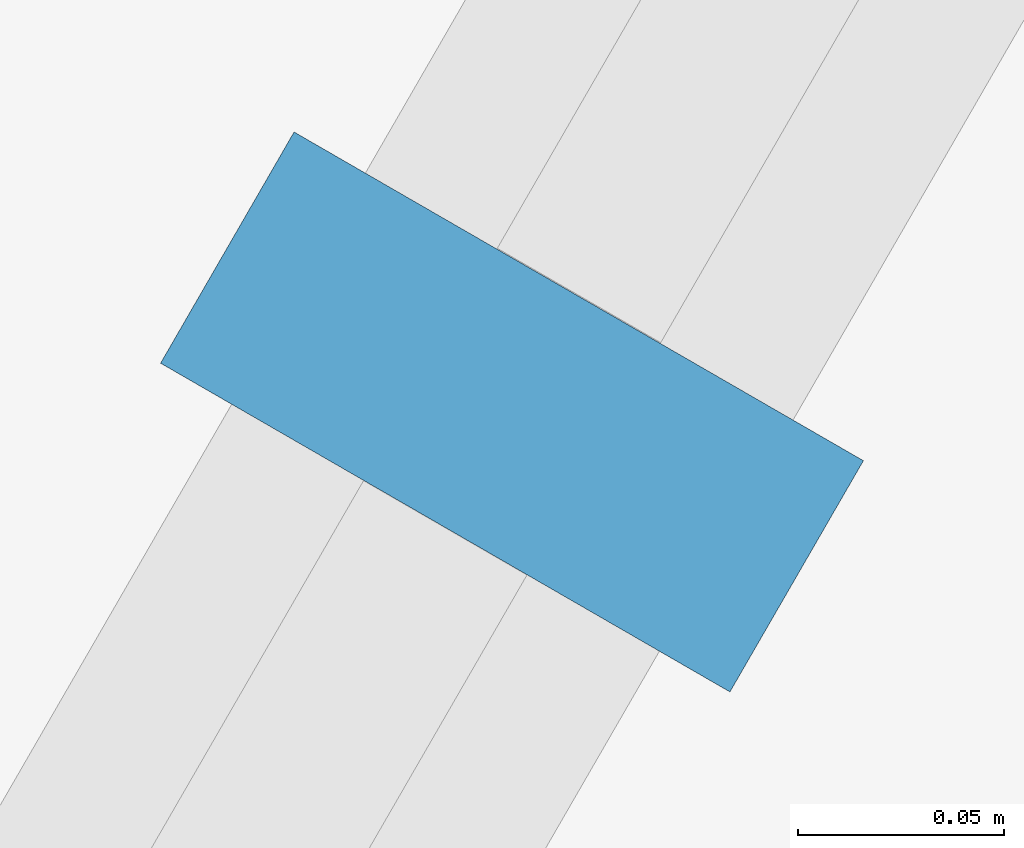
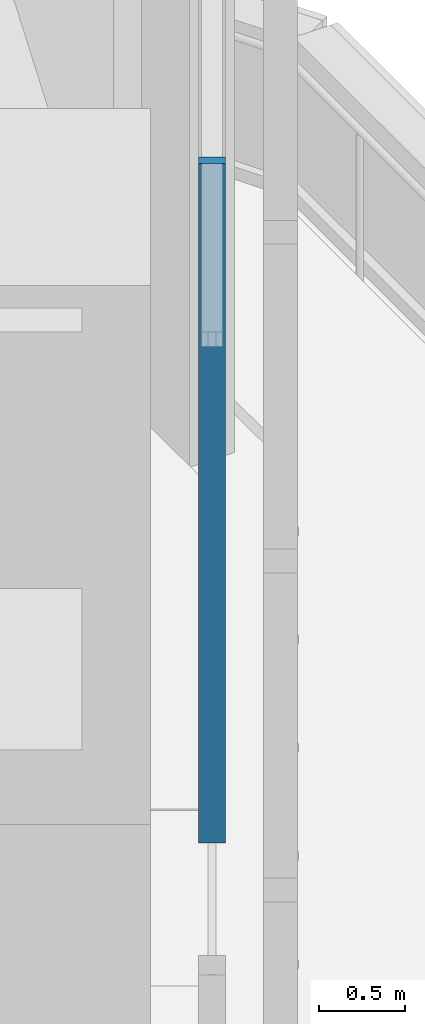
# One storey, part 122 of 228: 1 member, 1 element without a shape of its own.
"""IFC4 building model written with IfcOpenShell, lengths in metres."""

from ifc_helpers import new_model, si_unit, direction, frame, origin, origin_2d, place, context, subcontext, project, spatial, rectangle, extrude, material, material_profile, profile_set, type_object, element, aggregate, save


model = new_model("IFC4")

# Units and contexts
model_context = context("Model", 3, precision=1e-05, world=origin(), true_north=direction((0.0, 1.0)))
body_context = subcontext(model_context, "Body", "Model", "MODEL_VIEW")
ifc_project = project(units=[si_unit("LENGTHUNIT", "METRE"), si_unit("AREAUNIT", "SQUARE_METRE"), si_unit("VOLUMEUNIT", "CUBIC_METRE"), si_unit("PLANEANGLEUNIT", "RADIAN"), si_unit("MASSUNIT", "GRAM", prefix="KILO")], contexts=[model_context])

# Site, building, storey
site_placement = place(None, origin())
site = spatial("IfcSite", under=ifc_project, at=site_placement, CompositionType="ELEMENT")
building_placement = place(site_placement, origin())
building = spatial("IfcBuilding", under=site, at=building_placement, Name="Sandreach Pilgrim Tower", CompositionType="ELEMENT")
storey_placement = place(building_placement, frame((0.0, 0.0, 178.199951171875)))
storey = spatial("IfcBuildingStorey", under=building, at=storey_placement, Name="L44", CompositionType="ELEMENT", Elevation=178.199951171875)

# Curtain wall, member
ifc_material_1 = material(Name="Aluminium framed curtain wall", Category="aluminium")
curtain_wall_type = type_object("IfcCurtainWallType", Name="Upper hotel tower curtain wall", PredefinedType="NOTDEFINED", material=ifc_material_1)
curtain_wall_placement = place(storey_placement, origin())
curtain_wall = element("IfcCurtainWall", 1, at=curtain_wall_placement, inside=storey, type_object=curtain_wall_type, Name="CW-3 L44 SE", PredefinedType="NOTDEFINED")
ifc_material_2 = material(Name="Aluminium extrusion", Category="aluminium")
ifc_material_profile = material_profile(ifc_material_2, rectangle(XDim=0.06494140625, YDim=0.159912109375, at=origin_2d()), Name="CW-3M 65X160")
ifc_profile_set = profile_set([ifc_material_profile], Name="Aluminium extrusion")
member_type = type_object("IfcMemberType", Name="CW-3 mullion", PredefinedType="MULLION", material=ifc_profile_set)
member_placement = place(storey_placement, frame((25.087890625, 1.13330078125, 0.0), z_axis=(0.0, 0.0, 1.0), x_axis=(-0.5, -0.866025403784, 0.0)))
member = element("IfcMember", 2, at=member_placement, type_object=member_type, Name="CW-3 mullion 2", PredefinedType="MULLION", context=body_context, shape_type="SweptSolid", body=[
    extrude(rectangle(XDim=0.06494140625, YDim=0.159912109375, at=origin_2d()), origin(), (0.0, 0.0, 1.0), 4.840087890625),
])
aggregate(curtain_wall, [member])

save(model, "model.ifc")
